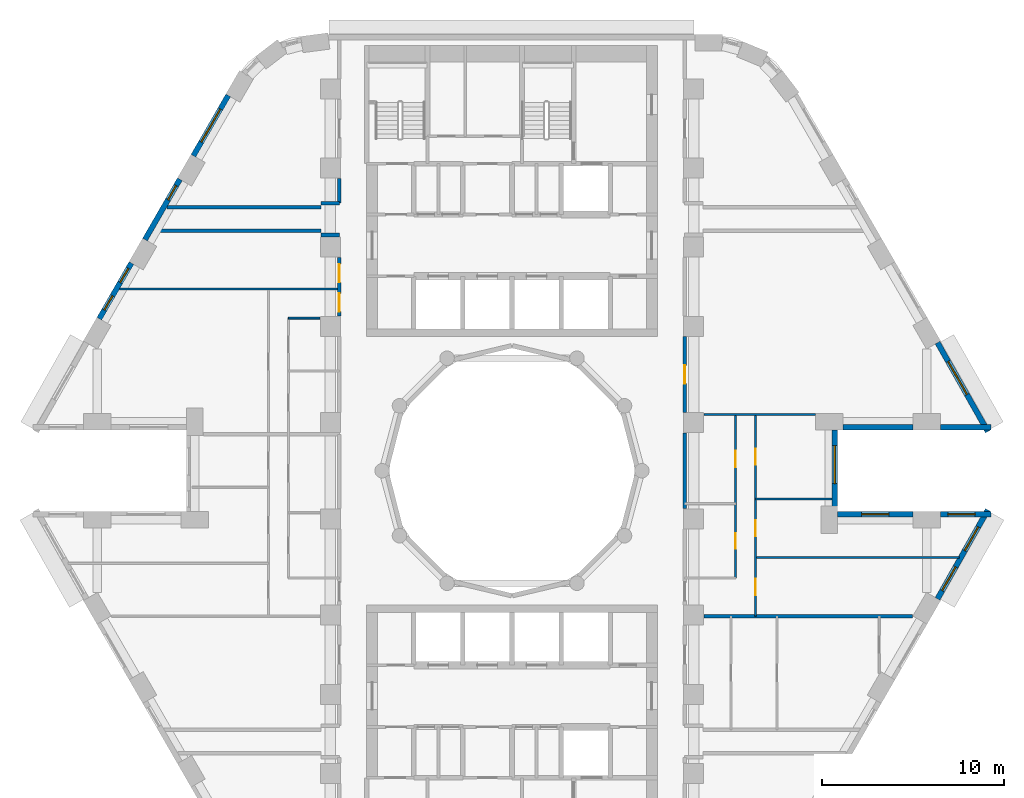
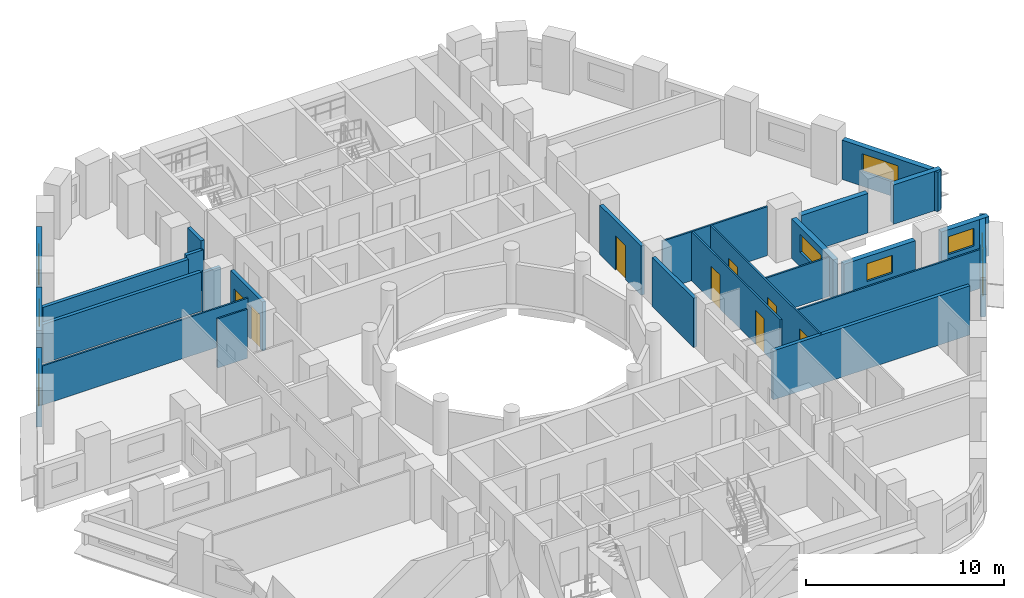
# One storey, part 6 of 12: 26 walls, 10 windows, 8 doors, 18 openings.
"""IFC4 building model written with IfcOpenShell, lengths in metres."""

from ifc_helpers import new_model, si_unit, direction, frame, frame_2d, origin, place, context, subcontext, project, spatial, rectangle, extrude, material, layer, layer_set, type_object, element, fill, save


model = new_model("IFC4")

# Units and contexts
model_context = context("Model", 3, precision=1e-05, world=origin(), true_north=direction((0.0, 1.0)))
body_context = subcontext(model_context, "Body", "Model", "MODEL_VIEW")
ifc_project = project(units=[si_unit("LENGTHUNIT", "METRE"), si_unit("AREAUNIT", "SQUARE_METRE"), si_unit("VOLUMEUNIT", "CUBIC_METRE"), si_unit("PLANEANGLEUNIT", "RADIAN"), si_unit("MASSUNIT", "GRAM", prefix="KILO")], contexts=[model_context])

# Site, building, storey
site_placement = place(None, origin())
site = spatial("IfcSite", under=ifc_project, at=site_placement, CompositionType="ELEMENT")
building_placement = place(site_placement, origin())
building = spatial("IfcBuilding", under=site, at=building_placement, Name="Nakaniwa Court", CompositionType="ELEMENT")
storey_placement = place(building_placement, frame((0.0, 0.0, 57.89990234375)))
storey = spatial("IfcBuildingStorey", under=building, at=storey_placement, Name="L15", CompositionType="ELEMENT", Elevation=57.89990234375)

# Wall
ifc_material_1 = material(Name="Acoustic double stud partition")
ifc_layer_1 = layer(ifc_material_1, 0.199951171875)
ifc_layer_set_1 = layer_set([ifc_layer_1], Name="Acoustic double stud partition")
wall_type_1 = type_object("IfcWallType", Name="Acoustic double stud partition 200", PredefinedType="PARTITIONING", material=ifc_layer_set_1)
wall_1_placement = place(storey_placement, frame((89.5, 77.9169921875, 0.0), z_axis=(0.0, 0.0, 1.0), x_axis=(0.0, 1.0, 0.0)))
element("IfcWall", 1, at=wall_1_placement, inside=storey, type_object=wall_type_1, Name="Partition PW-077", PredefinedType="PARTITIONING", context=body_context, shape_type="SweptSolid", body=[
    extrude(rectangle(XDim=4.166015625, YDim=0.199951171875, at=frame_2d((2.0830078125, 0.0))), origin(), (0.0, 0.0, 1.0), 3.025146484375),
])

# Wall, opening, door
wall_2_placement = place(storey_placement, frame((89.5, 87.383056640625, 0.0), z_axis=(0.0, 0.0, 1.0), x_axis=(0.0, -1.0, 0.0)))
wall_2 = element("IfcWall", 2, at=wall_2_placement, inside=storey, type_object=wall_type_1, Name="Partition PW-078", PredefinedType="PARTITIONING", context=body_context, shape_type="SweptSolid", body=[
    extrude(rectangle(XDim=4.166015625, YDim=0.199951171875, at=frame_2d((2.0830078125, 0.0))), origin(), (0.0, 0.0, 1.0), 3.025146484375),
])
opening_1_placement = place(wall_2_placement, frame((1.5830078125, 0.0, 0.0)))
opening_1 = element("IfcOpeningElement", 3, at=opening_1_placement, cuts=wall_2, Name="Opening D-02-01", PredefinedType="OPENING", context=body_context, shape_type="SweptSolid", body=[
    extrude(rectangle(XDim=1.0, YDim=2.10009765625, at=frame_2d((0.5, 1.050048828125))), frame((0.0, 0.10986328125, 0.0), z_axis=(0.0, -1.0, 0.0), x_axis=(1.0, 0.0, 0.0)), (0.0, 0.0, 1.0), 0.219970703125),
])
ifc_material_2 = material(Name="Solid core timber door set, black veneer", Category="wood")
door_type_1 = type_object("IfcDoorType", Name="Internal door 1000", OperationType="NOTDEFINED", PredefinedType="DOOR", material=ifc_material_2)
door_1_placement = place(opening_1_placement, origin())
door_1 = element("IfcDoor", 4, at=door_1_placement, inside=storey, type_object=door_type_1, Name="Door D-02-01 L15-039", OperationType="SINGLE_SWING_RIGHT", OverallHeight=2.10009765625, OverallWidth=1.0, PredefinedType="DOOR", context=body_context, shape_type="SweptSolid", body=[
    extrude(rectangle(XDim=1.0, YDim=2.10009765625, at=frame_2d((0.5, 1.050048828125))), frame((0.0, 0.02490234375, 0.0), z_axis=(0.0, -1.0, 0.0), x_axis=(1.0, 0.0, 0.0)), (0.0, 0.0, 1.0), 0.050048828125),
])
fill(opening_1, door_1)

# Walls
wall_3_placement = place(storey_placement, frame((60.254638671875, 93.199951171875, 0.0), z_axis=(0.0, 0.0, 1.0), x_axis=(1.0, 0.0, 0.0)))
element("IfcWall", 5, at=wall_3_placement, inside=storey, type_object=wall_type_1, Name="Partition PW-083", PredefinedType="PARTITIONING", context=body_context, shape_type="SweptSolid", body=[
    extrude(rectangle(XDim=9.245361328125, YDim=0.199951171875, at=frame_2d((4.62255859375, 0.0))), origin(), (0.0, 0.0, 1.0), 2.405029296875),
])
for number, where, z_axis, x_axis, name in (
    (6, (69.5, 92.97509765625, 0.0), (0.0, 0.0, 1.0), (1.0, 0.0, 0.0), "Partition PW-085"),
    (7, (69.5, 94.72509765625, 0.0), (0.0, 0.0, 1.0), (1.0, 0.0, 0.0), "Partition PW-087"),
):
    element("IfcWall", number, at=place(storey_placement, frame(where, z_axis=z_axis, x_axis=x_axis)), inside=storey, type_object=wall_type_1, Name=name, PredefinedType="PARTITIONING", context=body_context, shape_type="SweptSolid", body=[
        extrude(rectangle(XDim=1.0, YDim=0.199951171875, at=frame_2d((0.5, 0.0))), origin(), (0.0, 0.0, 1.0), 2.505126953125),
    ])
wall_4_placement = place(storey_placement, frame((61.005126953125, 94.5, 0.0), z_axis=(0.0, 0.0, 1.0), x_axis=(1.0, 0.0, 0.0)))
element("IfcWall", 8, at=wall_4_placement, inside=storey, type_object=wall_type_1, Name="Partition PW-089", PredefinedType="PARTITIONING", context=body_context, shape_type="SweptSolid", body=[
    extrude(rectangle(XDim=8.494873046875, YDim=0.199951171875, at=frame_2d((4.24755859375, 0.0))), origin(), (0.0, 0.0, 1.0), 2.405029296875),
])

# Wall, openings, doors
wall_5_placement = place(storey_placement, frame((70.5, 88.51708984375, 0.0), z_axis=(0.0, 0.0, 1.0), x_axis=(0.0, 1.0, 0.0)))
wall_5 = element("IfcWall", 9, at=wall_5_placement, inside=storey, type_object=wall_type_1, Name="Partition PW-107", PredefinedType="PARTITIONING", context=body_context, shape_type="SweptSolid", body=[
    extrude(rectangle(XDim=3.2158203125, YDim=0.199951171875, at=frame_2d((1.60791015625, 0.0))), origin(), (0.0, 0.0, 1.0), 3.025146484375),
])
opening_2_placement = place(wall_5_placement, frame((0.242919921875, 0.0, 0.0)))
opening_2 = element("IfcOpeningElement", 10, at=opening_2_placement, cuts=wall_5, Name="Opening D-01-04", PredefinedType="OPENING", context=body_context, shape_type="SweptSolid", body=[
    extrude(rectangle(XDim=1.0, YDim=2.10009765625, at=frame_2d((0.5, 1.050048828125))), frame((0.0, 0.10986328125, 0.0), z_axis=(0.0, -1.0, 0.0), x_axis=(1.0, 0.0, 0.0)), (0.0, 0.0, 1.0), 0.219970703125),
])
opening_3_placement = place(wall_5_placement, frame((1.847900390625, 0.0, 0.0)))
opening_3 = element("IfcOpeningElement", 11, at=opening_3_placement, cuts=wall_5, Name="Opening D-02-07", PredefinedType="OPENING", context=body_context, shape_type="SweptSolid", body=[
    extrude(rectangle(XDim=1.0, YDim=2.10009765625, at=frame_2d((0.5, 1.050048828125))), frame((0.0, 0.10986328125, 0.0), z_axis=(0.0, -1.0, 0.0), x_axis=(1.0, 0.0, 0.0)), (0.0, 0.0, 1.0), 0.219970703125),
])
door_type_2 = type_object("IfcDoorType", Name="Flat entrance door 1000", OperationType="NOTDEFINED", PredefinedType="DOOR", material=ifc_material_2)
door_2_placement = place(opening_2_placement, origin())
door_2 = element("IfcDoor", 12, at=door_2_placement, inside=storey, type_object=door_type_2, Name="Door D-01-04 L15-048", OperationType="SINGLE_SWING_LEFT", OverallHeight=2.10009765625, OverallWidth=1.0, PredefinedType="DOOR", context=body_context, shape_type="SweptSolid", body=[
    extrude(rectangle(XDim=1.0, YDim=2.10009765625, at=frame_2d((0.5, 1.050048828125))), frame((0.0, 0.02490234375, 0.0), z_axis=(0.0, -1.0, 0.0), x_axis=(1.0, 0.0, 0.0)), (0.0, 0.0, 1.0), 0.050048828125),
])
fill(opening_2, door_2)
door_3_placement = place(opening_3_placement, origin())
door_3 = element("IfcDoor", 13, at=door_3_placement, inside=storey, type_object=door_type_1, Name="Door D-02-07 L15-055", OperationType="SINGLE_SWING_RIGHT", OverallHeight=2.10009765625, OverallWidth=1.0, PredefinedType="DOOR", context=body_context, shape_type="SweptSolid", body=[
    extrude(rectangle(XDim=1.0, YDim=2.10009765625, at=frame_2d((0.5, 1.050048828125))), frame((0.0, 0.02490234375, 0.0), z_axis=(0.0, -1.0, 0.0), x_axis=(1.0, 0.0, 0.0)), (0.0, 0.0, 1.0), 0.050048828125),
])
fill(opening_3, door_3)

# Walls
wall_6_placement = place(storey_placement, frame((70.5, 94.721923828125, 0.0), z_axis=(0.0, 0.0, 1.0), x_axis=(0.0, 1.0, 0.0)))
element("IfcWall", 14, at=wall_6_placement, inside=storey, type_object=wall_type_1, Name="Partition PW-108", PredefinedType="PARTITIONING", context=body_context, shape_type="SweptSolid", body=[
    extrude(rectangle(XDim=1.361083984375, YDim=0.199951171875, at=frame_2d((0.6806640625, 0.0))), origin(), (0.0, 0.0, 1.0), 3.025146484375),
])
wall_7_placement = place(storey_placement, frame((90.570068359375, 72.0, 0.0), z_axis=(0.0, 0.0, 1.0), x_axis=(1.0, 0.0, 0.0)))
element("IfcWall", 15, at=wall_7_placement, inside=storey, type_object=wall_type_1, Name="Partition PW-112", PredefinedType="PARTITIONING", context=body_context, shape_type="SweptSolid", body=[
    extrude(rectangle(XDim=11.461669921875, YDim=0.199951171875, at=frame_2d((5.73095703125, 0.0))), origin(), (0.0, 0.0, 1.0), 3.025146484375),
])
ifc_material_3 = material(Name="Charcoal ceramic cladding")
ifc_layer_2 = layer(ifc_material_3, 0.02, Name="Ceramic cladding")
ifc_material_4 = material(Name="Ventilated air cavity")
ifc_layer_3 = layer(ifc_material_4, 0.04, ventilated=True, Name="Ventilated cavity")
ifc_material_5 = material(Name="Mineral wool insulation")
ifc_layer_4 = layer(ifc_material_5, 0.1, Name="Insulation")
ifc_material_6 = material(Name="Cement bonded sheathing board")
ifc_layer_5 = layer(ifc_material_6, 0.012, Name="Sheathing")
ifc_material_7 = material(Name="Cold-formed galvanised stud frame with mineral wool infill")
ifc_layer_6 = layer(ifc_material_7, 0.1, Name="Stud frame")
ifc_material_8 = material(Name="Fire-rated gypsum plasterboard lining")
ifc_layer_7 = layer(ifc_material_8, 0.028, Name="Lining")
ifc_layer_set_2 = layer_set([ifc_layer_2, ifc_layer_3, ifc_layer_4, ifc_layer_5, ifc_layer_6, ifc_layer_7], Name="Charcoal ceramic faced external wall system")
wall_type_2 = type_object("IfcWallType", Name="Black ceramic faced external wall 300", PredefinedType="SOLIDWALL", material=ifc_layer_set_2)
wall_8_placement = place(storey_placement, frame((98.204345703125, 82.39990234375, 0.0), z_axis=(0.0, 0.0, 1.0), x_axis=(1.0, 0.0, 0.0)))
element("IfcWall", 16, at=wall_8_placement, inside=storey, type_object=wall_type_2, Name="L15 external wall 00", PredefinedType="SOLIDWALL", context=body_context, shape_type="SweptSolid", body=[
    extrude(rectangle(XDim=3.87255859375, YDim=0.300048828125, at=frame_2d((1.936279296875, 0.0))), origin(), (0.0, 0.0, 1.0), 2.425048828125),
])
wall_9_placement = place(storey_placement, frame((103.56884765625, 82.39990234375, 0.0), z_axis=(0.0, 0.0, 1.0), x_axis=(1.0, 0.0, 0.0)))
element("IfcWall", 17, at=wall_9_placement, inside=storey, type_object=wall_type_2, Name="L15 external wall 01", PredefinedType="SOLIDWALL", context=body_context, shape_type="SweptSolid", body=[
    extrude(rectangle(XDim=2.787841796875, YDim=0.300048828125, at=frame_2d((1.39404296875, 0.0))), origin(), (0.0, 0.0, 1.0), 2.425048828125),
])

# Wall, opening, window
wall_10_placement = place(storey_placement, frame((106.18603515625, 82.1533203125, 0.0), z_axis=(0.0, 0.0, 1.0), x_axis=(-0.492363204642, 0.870389840655, 0.0)))
wall_10 = element("IfcWall", 18, at=wall_10_placement, inside=storey, type_object=wall_type_2, Name="L15 external wall 02", PredefinedType="SOLIDWALL", context=body_context, shape_type="SweptSolid", body=[
    extrude(rectangle(XDim=5.62646484375, YDim=0.300048828125, at=frame_2d((2.813232421875, 0.0))), origin(), (0.0, 0.0, 1.0), 2.425048828125),
])
opening_4_placement = place(wall_10_placement, frame((2.34228515625, 0.0, 0.89990234375)))
opening_4 = element("IfcOpeningElement", 19, at=opening_4_placement, cuts=wall_10, Name="Opening W7.01", PredefinedType="OPENING", context=body_context, shape_type="SweptSolid", body=[
    extrude(rectangle(XDim=2.10009765625, YDim=1.10009765625, at=frame_2d((1.050048828125, 0.550048828125))), frame((0.0, 0.159912109375, 0.0), z_axis=(0.0, -1.0, 0.0), x_axis=(1.0, 0.0, 0.0)), (0.0, 0.0, 1.0), 0.320068359375),
])
ifc_material_9 = material(Name="Black anodised aluminium frame with dark low-E laminated double glazing", Category="aluminium")
window_type_1 = type_object("IfcWindowType", Name="Dark glass window 2100x1100 sill 900", PartitioningType="SINGLE_PANEL", PredefinedType="WINDOW", material=ifc_material_9)
window_1_placement = place(opening_4_placement, origin())
window_1 = element("IfcWindow", 20, at=window_1_placement, inside=storey, type_object=window_type_1, Name="L15 habitable room window 02-0", OverallHeight=1.10009765625, OverallWidth=2.10009765625, PartitioningType="SINGLE_PANEL", PredefinedType="WINDOW", context=body_context, shape_type="SweptSolid", body=[
    extrude(rectangle(XDim=2.10009765625, YDim=1.10009765625, at=frame_2d((1.050048828125, 0.550048828125))), frame((0.0, 0.030029296875, 0.0), z_axis=(0.0, -1.0, 0.0), x_axis=(1.0, 0.0, 0.0)), (0.0, 0.0, 1.0), 0.06005859375),
])
fill(opening_4, window_1)

wall_11_placement = place(storey_placement, frame((64.384765625, 100.653564453125, 0.0), z_axis=(0.0, 0.0, 1.0), x_axis=(-0.499974163209, -0.866040320149, 0.0)))
wall_11 = element("IfcWall", 21, at=wall_11_placement, inside=storey, type_object=wall_type_2, Name="L15 external wall 11", PredefinedType="SOLIDWALL", context=body_context, shape_type="SweptSolid", body=[
    extrude(rectangle(XDim=3.834228515625, YDim=0.300048828125, at=frame_2d((1.9169921875, 0.0))), origin(), (0.0, 0.0, 1.0), 2.425048828125),
])
opening_5_placement = place(wall_11_placement, frame((0.8671875, 0.0, 0.89990234375)))
opening_5 = element("IfcOpeningElement", 22, at=opening_5_placement, cuts=wall_11, Name="Opening W7.09", PredefinedType="OPENING", context=body_context, shape_type="SweptSolid", body=[
    extrude(rectangle(XDim=2.10009765625, YDim=1.10009765625, at=frame_2d((1.050048828125, 0.550048828125))), frame((0.0, 0.159912109375, 0.0), z_axis=(0.0, -1.0, 0.0), x_axis=(1.0, 0.0, 0.0)), (0.0, 0.0, 1.0), 0.320068359375),
])
window_2_placement = place(opening_5_placement, origin())
window_2 = element("IfcWindow", 23, at=window_2_placement, inside=storey, type_object=window_type_1, Name="L15 habitable room window 11-0", OverallHeight=1.10009765625, OverallWidth=2.10009765625, PartitioningType="SINGLE_PANEL", PredefinedType="WINDOW", context=body_context, shape_type="SweptSolid", body=[
    extrude(rectangle(XDim=2.10009765625, YDim=1.10009765625, at=frame_2d((1.050048828125, 0.550048828125))), frame((0.0, 0.030029296875, 0.0), z_axis=(0.0, -1.0, 0.0), x_axis=(1.0, 0.0, 0.0)), (0.0, 0.0, 1.0), 0.06005859375),
])
fill(opening_5, window_2)

wall_12_placement = place(storey_placement, frame((61.7216796875, 96.041015625, 0.0), z_axis=(0.0, 0.0, 1.0), x_axis=(-0.500001735503, -0.866024401789, 0.0)))
wall_12 = element("IfcWall", 24, at=wall_12_placement, inside=storey, type_object=wall_type_2, Name="L15 external wall 12", PredefinedType="SOLIDWALL", context=body_context, shape_type="SweptSolid", body=[
    extrude(rectangle(XDim=3.833984375, YDim=0.300048828125, at=frame_2d((1.9169921875, 0.0))), origin(), (0.0, 0.0, 1.0), 2.425048828125),
])
opening_6_placement = place(wall_12_placement, frame((0.402587890625, 0.0, 0.89990234375)))
opening_6 = element("IfcOpeningElement", 25, at=opening_6_placement, cuts=wall_12, Name="Opening W9.10", PredefinedType="OPENING", context=body_context, shape_type="SweptSolid", body=[
    extrude(rectangle(XDim=0.89990234375, YDim=1.10009765625, at=frame_2d((0.449951171875, 0.550048828125))), frame((0.0, 0.159912109375, 0.0), z_axis=(0.0, -1.0, 0.0), x_axis=(1.0, 0.0, 0.0)), (0.0, 0.0, 1.0), 0.320068359375),
])
window_type_2 = type_object("IfcWindowType", Name="Dark glass window 900x1100 sill 900", PartitioningType="SINGLE_PANEL", PredefinedType="WINDOW", material=ifc_material_9)
window_3_placement = place(opening_6_placement, origin())
window_3 = element("IfcWindow", 26, at=window_3_placement, inside=storey, type_object=window_type_2, Name="L15 habitable room window 12-0", OverallHeight=1.10009765625, OverallWidth=0.89990234375, PartitioningType="SINGLE_PANEL", PredefinedType="WINDOW", context=body_context, shape_type="SweptSolid", body=[
    extrude(rectangle(XDim=0.89990234375, YDim=1.10009765625, at=frame_2d((0.449951171875, 0.550048828125))), frame((0.0, 0.030029296875, 0.0), z_axis=(0.0, -1.0, 0.0), x_axis=(1.0, 0.0, 0.0)), (0.0, 0.0, 1.0), 0.06005859375),
])
fill(opening_6, window_3)

# Wall, openings, windows
wall_13_placement = place(storey_placement, frame((59.05859375, 91.4287109375, 0.0), z_axis=(0.0, 0.0, 1.0), x_axis=(-0.499977402622, -0.866038449993, 0.0)))
wall_13 = element("IfcWall", 27, at=wall_13_placement, inside=storey, type_object=wall_type_2, Name="L15 external wall 13", PredefinedType="SOLIDWALL", context=body_context, shape_type="SweptSolid", body=[
    extrude(rectangle(XDim=3.536865234375, YDim=0.300048828125, at=frame_2d((1.7685546875, 0.0))), origin(), (0.0, 0.0, 1.0), 2.425048828125),
])
opening_7_placement = place(wall_13_placement, frame((0.337890625, 0.0, 0.89990234375)))
opening_7 = element("IfcOpeningElement", 28, at=opening_7_placement, cuts=wall_13, Name="Opening W9.11", PredefinedType="OPENING", context=body_context, shape_type="SweptSolid", body=[
    extrude(rectangle(XDim=0.89990234375, YDim=1.10009765625, at=frame_2d((0.449951171875, 0.550048828125))), frame((0.0, 0.159912109375, 0.0), z_axis=(0.0, -1.0, 0.0), x_axis=(1.0, 0.0, 0.0)), (0.0, 0.0, 1.0), 0.320068359375),
])
opening_8_placement = place(wall_13_placement, frame((2.082275390625, 0.0, 0.89990234375)))
opening_8 = element("IfcOpeningElement", 29, at=opening_8_placement, cuts=wall_13, Name="Opening W9.12", PredefinedType="OPENING", context=body_context, shape_type="SweptSolid", body=[
    extrude(rectangle(XDim=0.89990234375, YDim=1.10009765625, at=frame_2d((0.449951171875, 0.550048828125))), frame((0.0, 0.159912109375, 0.0), z_axis=(0.0, -1.0, 0.0), x_axis=(1.0, 0.0, 0.0)), (0.0, 0.0, 1.0), 0.320068359375),
])
window_4_placement = place(opening_7_placement, origin())
window_4 = element("IfcWindow", 30, at=window_4_placement, inside=storey, type_object=window_type_2, Name="L15 habitable room window 13-0", OverallHeight=1.10009765625, OverallWidth=0.89990234375, PartitioningType="SINGLE_PANEL", PredefinedType="WINDOW", context=body_context, shape_type="SweptSolid", body=[
    extrude(rectangle(XDim=0.89990234375, YDim=1.10009765625, at=frame_2d((0.449951171875, 0.550048828125))), frame((0.0, 0.030029296875, 0.0), z_axis=(0.0, -1.0, 0.0), x_axis=(1.0, 0.0, 0.0)), (0.0, 0.0, 1.0), 0.06005859375),
])
fill(opening_7, window_4)
window_5_placement = place(opening_8_placement, origin())
window_5 = element("IfcWindow", 31, at=window_5_placement, inside=storey, type_object=window_type_2, Name="L15 living window 13-1", OverallHeight=1.10009765625, OverallWidth=0.89990234375, PartitioningType="SINGLE_PANEL", PredefinedType="WINDOW", context=body_context, shape_type="SweptSolid", body=[
    extrude(rectangle(XDim=0.89990234375, YDim=1.10009765625, at=frame_2d((0.449951171875, 0.550048828125))), frame((0.0, 0.030029296875, 0.0), z_axis=(0.0, -1.0, 0.0), x_axis=(1.0, 0.0, 0.0)), (0.0, 0.0, 1.0), 0.06005859375),
])
fill(opening_8, window_5)

wall_14_placement = place(storey_placement, frame((103.415771484375, 72.949462890625, 0.0), z_axis=(0.0, 0.0, 1.0), x_axis=(0.492363204642, 0.870389840655, 0.0)))
wall_14 = element("IfcWall", 32, at=wall_14_placement, inside=storey, type_object=wall_type_2, Name="L15 external wall 32", PredefinedType="SOLIDWALL", context=body_context, shape_type="SweptSolid", body=[
    extrude(rectangle(XDim=5.62646484375, YDim=0.300048828125, at=frame_2d((2.813232421875, 0.0))), origin(), (0.0, 0.0, 1.0), 2.425048828125),
])
opening_9_placement = place(wall_14_placement, frame((0.5205078125, 0.0, 0.89990234375)))
opening_9 = element("IfcOpeningElement", 33, at=opening_9_placement, cuts=wall_14, Name="Opening W5.32", PredefinedType="OPENING", context=body_context, shape_type="SweptSolid", body=[
    extrude(rectangle(XDim=1.5, YDim=1.10009765625, at=frame_2d((0.75, 0.550048828125))), frame((0.0, 0.159912109375, 0.0), z_axis=(0.0, -1.0, 0.0), x_axis=(1.0, 0.0, 0.0)), (0.0, 0.0, 1.0), 0.320068359375),
])
opening_10_placement = place(wall_14_placement, frame((3.044921875, 0.0, 0.89990234375)))
opening_10 = element("IfcOpeningElement", 34, at=opening_10_placement, cuts=wall_14, Name="Opening W5.33", PredefinedType="OPENING", context=body_context, shape_type="SweptSolid", body=[
    extrude(rectangle(XDim=1.5, YDim=1.10009765625, at=frame_2d((0.75, 0.550048828125))), frame((0.0, 0.159912109375, 0.0), z_axis=(0.0, -1.0, 0.0), x_axis=(1.0, 0.0, 0.0)), (0.0, 0.0, 1.0), 0.320068359375),
])
window_type_3 = type_object("IfcWindowType", Name="Dark glass window 1500x1100 sill 900", PartitioningType="SINGLE_PANEL", PredefinedType="WINDOW", material=ifc_material_9)
window_6_placement = place(opening_9_placement, origin())
window_6 = element("IfcWindow", 35, at=window_6_placement, inside=storey, type_object=window_type_3, Name="L15 bedroom window 32-0", OverallHeight=1.10009765625, OverallWidth=1.5, PartitioningType="SINGLE_PANEL", PredefinedType="WINDOW", context=body_context, shape_type="SweptSolid", body=[
    extrude(rectangle(XDim=1.5, YDim=1.10009765625, at=frame_2d((0.75, 0.550048828125))), frame((0.0, 0.030029296875, 0.0), z_axis=(0.0, -1.0, 0.0), x_axis=(1.0, 0.0, 0.0)), (0.0, 0.0, 1.0), 0.06005859375),
])
fill(opening_9, window_6)
window_7_placement = place(opening_10_placement, origin())
window_7 = element("IfcWindow", 36, at=window_7_placement, inside=storey, type_object=window_type_3, Name="L15 bedroom window 32-1", OverallHeight=1.10009765625, OverallWidth=1.5, PartitioningType="SINGLE_PANEL", PredefinedType="WINDOW", context=body_context, shape_type="SweptSolid", body=[
    extrude(rectangle(XDim=1.5, YDim=1.10009765625, at=frame_2d((0.75, 0.550048828125))), frame((0.0, 0.030029296875, 0.0), z_axis=(0.0, -1.0, 0.0), x_axis=(1.0, 0.0, 0.0)), (0.0, 0.0, 1.0), 0.06005859375),
])
fill(opening_10, window_7)

# Wall, opening, window
wall_15_placement = place(storey_placement, frame((106.356689453125, 77.60009765625, 0.0), z_axis=(0.0, 0.0, 1.0), x_axis=(-1.0, 0.0, 0.0)))
wall_15 = element("IfcWall", 37, at=wall_15_placement, inside=storey, type_object=wall_type_2, Name="L15 external wall 33", PredefinedType="SOLIDWALL", context=body_context, shape_type="SweptSolid", body=[
    extrude(rectangle(XDim=2.787841796875, YDim=0.300048828125, at=frame_2d((1.39404296875, 0.0))), origin(), (0.0, 0.0, 1.0), 2.425048828125),
])
opening_11_placement = place(wall_15_placement, frame((0.868896484375, 0.0, 0.89990234375)))
opening_11 = element("IfcOpeningElement", 38, at=opening_11_placement, cuts=wall_15, Name="Opening W5.34", PredefinedType="OPENING", context=body_context, shape_type="SweptSolid", body=[
    extrude(rectangle(XDim=1.5, YDim=1.10009765625, at=frame_2d((0.75, 0.550048828125))), frame((0.0, 0.159912109375, 0.0), z_axis=(0.0, -1.0, 0.0), x_axis=(1.0, 0.0, 0.0)), (0.0, 0.0, 1.0), 0.320068359375),
])
window_8_placement = place(opening_11_placement, origin())
window_8 = element("IfcWindow", 39, at=window_8_placement, inside=storey, type_object=window_type_3, Name="L15 bedroom window 33-0", OverallHeight=1.10009765625, OverallWidth=1.5, PartitioningType="SINGLE_PANEL", PredefinedType="WINDOW", context=body_context, shape_type="SweptSolid", body=[
    extrude(rectangle(XDim=1.5, YDim=1.10009765625, at=frame_2d((0.75, 0.550048828125))), frame((0.0, 0.030029296875, 0.0), z_axis=(0.0, -1.0, 0.0), x_axis=(1.0, 0.0, 0.0)), (0.0, 0.0, 1.0), 0.06005859375),
])
fill(opening_11, window_8)

wall_16_placement = place(storey_placement, frame((102.076904296875, 77.60009765625, 0.0), z_axis=(0.0, 0.0, 1.0), x_axis=(-1.0, 0.0, 0.0)))
wall_16 = element("IfcWall", 40, at=wall_16_placement, inside=storey, type_object=wall_type_2, Name="L15 external wall 34", PredefinedType="SOLIDWALL", context=body_context, shape_type="SweptSolid", body=[
    extrude(rectangle(XDim=4.172607421875, YDim=0.300048828125, at=frame_2d((2.08642578125, 0.0))), origin(), (0.0, 0.0, 1.0), 2.425048828125),
])
opening_12_placement = place(wall_16_placement, frame((1.336181640625, 0.0, 0.89990234375)))
opening_12 = element("IfcOpeningElement", 41, at=opening_12_placement, cuts=wall_16, Name="Opening W5.35", PredefinedType="OPENING", context=body_context, shape_type="SweptSolid", body=[
    extrude(rectangle(XDim=1.5, YDim=1.10009765625, at=frame_2d((0.75, 0.550048828125))), frame((0.0, 0.159912109375, 0.0), z_axis=(0.0, -1.0, 0.0), x_axis=(1.0, 0.0, 0.0)), (0.0, 0.0, 1.0), 0.320068359375),
])
window_9_placement = place(opening_12_placement, origin())
window_9 = element("IfcWindow", 42, at=window_9_placement, inside=storey, type_object=window_type_3, Name="L15 bedroom window 34-0", OverallHeight=1.10009765625, OverallWidth=1.5, PartitioningType="SINGLE_PANEL", PredefinedType="WINDOW", context=body_context, shape_type="SweptSolid", body=[
    extrude(rectangle(XDim=1.5, YDim=1.10009765625, at=frame_2d((0.75, 0.550048828125))), frame((0.0, 0.030029296875, 0.0), z_axis=(0.0, -1.0, 0.0), x_axis=(1.0, 0.0, 0.0)), (0.0, 0.0, 1.0), 0.06005859375),
])
fill(opening_12, window_9)

wall_17_placement = place(storey_placement, frame((97.75830078125, 78.0458984375, 0.0), z_axis=(0.0, 0.0, 1.0), x_axis=(0.0, 1.0, 0.0)))
wall_17 = element("IfcWall", 43, at=wall_17_placement, inside=storey, type_object=wall_type_2, Name="L15 external wall 35", PredefinedType="SOLIDWALL", context=body_context, shape_type="SweptSolid", body=[
    extrude(rectangle(XDim=4.2080078125, YDim=0.300048828125, at=frame_2d((2.10400390625, 0.0))), origin(), (0.0, 0.0, 1.0), 2.425048828125),
])
opening_13_placement = place(wall_17_placement, frame((1.24169921875, 0.0, 0.89990234375)))
opening_13 = element("IfcOpeningElement", 44, at=opening_13_placement, cuts=wall_17, Name="Opening W7.36", PredefinedType="OPENING", context=body_context, shape_type="SweptSolid", body=[
    extrude(rectangle(XDim=2.10009765625, YDim=1.10009765625, at=frame_2d((1.050048828125, 0.550048828125))), frame((0.0, 0.159912109375, 0.0), z_axis=(0.0, -1.0, 0.0), x_axis=(1.0, 0.0, 0.0)), (0.0, 0.0, 1.0), 0.320068359375),
])
window_10_placement = place(opening_13_placement, origin())
window_10 = element("IfcWindow", 45, at=window_10_placement, inside=storey, type_object=window_type_1, Name="L15 living window 35-1", OverallHeight=1.10009765625, OverallWidth=2.10009765625, PartitioningType="SINGLE_PANEL", PredefinedType="WINDOW", context=body_context, shape_type="SweptSolid", body=[
    extrude(rectangle(XDim=2.10009765625, YDim=1.10009765625, at=frame_2d((1.050048828125, 0.550048828125))), frame((0.0, 0.030029296875, 0.0), z_axis=(0.0, -1.0, 0.0), x_axis=(1.0, 0.0, 0.0)), (0.0, 0.0, 1.0), 0.06005859375),
])
fill(opening_13, window_10)

# Wall, openings, doors
ifc_material_10 = material(Name="Single stud plasterboard partition")
ifc_layer_8 = layer(ifc_material_10, 0.10009765625)
ifc_layer_set_3 = layer_set([ifc_layer_8], Name="Single stud plasterboard partition")
wall_type_3 = type_object("IfcWallType", Name="Single stud plasterboard partition 100", PredefinedType="PARTITIONING", material=ifc_layer_set_3)
wall_18_placement = place(storey_placement, frame((92.300048828125, 74.10009765625, 0.0), z_axis=(0.0, 0.0, 1.0), x_axis=(0.0, 1.0, 0.0)))
wall_18 = element("IfcWall", 46, at=wall_18_placement, inside=storey, type_object=wall_type_3, Name="Partition PW-118", PredefinedType="PARTITIONING", context=body_context, shape_type="SweptSolid", body=[
    extrude(rectangle(XDim=9.0, YDim=0.10009765625, at=frame_2d((4.5, 0.0))), origin(), (0.0, 0.0, 1.0), 3.025146484375),
])
opening_14_placement = place(wall_18_placement, frame((1.6201171875, 0.0, 0.0)))
opening_14 = element("IfcOpeningElement", 47, at=opening_14_placement, cuts=wall_18, Name="Opening D-03-02", PredefinedType="OPENING", context=body_context, shape_type="SweptSolid", body=[
    extrude(rectangle(XDim=0.85009765625, YDim=2.10009765625, at=frame_2d((0.425048828125, 1.050048828125))), frame((0.0, 0.06005859375, 0.0), z_axis=(0.0, -1.0, 0.0), x_axis=(1.0, 0.0, 0.0)), (0.0, 0.0, 1.0), 0.1201171875),
])
opening_15_placement = place(wall_18_placement, frame((6.094970703125, 0.0, 0.0)))
opening_15 = element("IfcOpeningElement", 48, at=opening_15_placement, cuts=wall_18, Name="Opening D-33-03", PredefinedType="OPENING", context=body_context, shape_type="SweptSolid", body=[
    extrude(rectangle(XDim=0.89990234375, YDim=2.10009765625, at=frame_2d((0.449951171875, 1.050048828125))), frame((0.0, 0.06005859375, 0.0), z_axis=(0.0, -1.0, 0.0), x_axis=(1.0, 0.0, 0.0)), (0.0, 0.0, 1.0), 0.1201171875),
])
ifc_material_11 = material(Name="Moisture sealed timber door set", Category="wood")
door_type_3 = type_object("IfcDoorType", Name="Bathroom door 850", OperationType="NOTDEFINED", PredefinedType="DOOR", material=ifc_material_11)
door_4_placement = place(opening_14_placement, origin())
door_4 = element("IfcDoor", 49, at=door_4_placement, inside=storey, type_object=door_type_3, Name="Door D-03-02 L15-034", OperationType="SINGLE_SWING_LEFT", OverallHeight=2.10009765625, OverallWidth=0.85009765625, PredefinedType="DOOR", context=body_context, shape_type="SweptSolid", body=[
    extrude(rectangle(XDim=0.85009765625, YDim=2.10009765625, at=frame_2d((0.425048828125, 1.050048828125))), frame((0.0, 0.02490234375, 0.0), z_axis=(0.0, -1.0, 0.0), x_axis=(1.0, 0.0, 0.0)), (0.0, 0.0, 1.0), 0.050048828125),
])
fill(opening_14, door_4)
door_type_4 = type_object("IfcDoorType", Name="Internal door 900", OperationType="NOTDEFINED", PredefinedType="DOOR", material=ifc_material_2)
door_5_placement = place(opening_15_placement, origin())
door_5 = element("IfcDoor", 50, at=door_5_placement, inside=storey, type_object=door_type_4, Name="Door D-33-03 L15-035", OperationType="SINGLE_SWING_RIGHT", OverallHeight=2.10009765625, OverallWidth=0.89990234375, PredefinedType="DOOR", context=body_context, shape_type="SweptSolid", body=[
    extrude(rectangle(XDim=0.89990234375, YDim=2.10009765625, at=frame_2d((0.449951171875, 1.050048828125))), frame((0.0, 0.02490234375, 0.0), z_axis=(0.0, -1.0, 0.0), x_axis=(1.0, 0.0, 0.0)), (0.0, 0.0, 1.0), 0.050048828125),
])
fill(opening_15, door_5)

# Wall
wall_19_placement = place(storey_placement, frame((90.570068359375, 83.10009765625, 0.0), z_axis=(0.0, 0.0, 1.0), x_axis=(1.0, 0.0, 0.0)))
element("IfcWall", 51, at=wall_19_placement, inside=storey, type_object=wall_type_3, Name="Partition PW-119", PredefinedType="PARTITIONING", context=body_context, shape_type="SweptSolid", body=[
    extrude(rectangle(XDim=6.118408203125, YDim=0.10009765625, at=frame_2d((3.05908203125, 0.0))), origin(), (0.0, 0.0, 1.0), 3.025146484375),
])

# Wall, openings, doors
wall_20_placement = place(storey_placement, frame((93.39990234375, 83.10009765625, 0.0), z_axis=(0.0, 0.0, 1.0), x_axis=(0.0, -1.0, 0.0)))
wall_20 = element("IfcWall", 52, at=wall_20_placement, inside=storey, type_object=wall_type_3, Name="Partition PW-120", PredefinedType="PARTITIONING", context=body_context, shape_type="SweptSolid", body=[
    extrude(rectangle(XDim=11.10009765625, YDim=0.10009765625, at=frame_2d((5.550048828125, 0.0))), origin(), (0.0, 0.0, 1.0), 3.025146484375),
])
opening_16_placement = place(wall_20_placement, frame((9.0390625, 0.0, 0.0)))
opening_16 = element("IfcOpeningElement", 53, at=opening_16_placement, cuts=wall_20, Name="Opening D-33-04", PredefinedType="OPENING", context=body_context, shape_type="SweptSolid", body=[
    extrude(rectangle(XDim=0.89990234375, YDim=2.10009765625, at=frame_2d((0.449951171875, 1.050048828125))), frame((0.0, 0.06005859375, 0.0), z_axis=(0.0, -1.0, 0.0), x_axis=(1.0, 0.0, 0.0)), (0.0, 0.0, 1.0), 0.1201171875),
])
opening_17_placement = place(wall_20_placement, frame((5.81591796875, 0.0, 0.0)))
opening_17 = element("IfcOpeningElement", 54, at=opening_17_placement, cuts=wall_20, Name="Opening D-33-05", PredefinedType="OPENING", context=body_context, shape_type="SweptSolid", body=[
    extrude(rectangle(XDim=0.89990234375, YDim=2.10009765625, at=frame_2d((0.449951171875, 1.050048828125))), frame((0.0, 0.06005859375, 0.0), z_axis=(0.0, -1.0, 0.0), x_axis=(1.0, 0.0, 0.0)), (0.0, 0.0, 1.0), 0.1201171875),
])
opening_18_placement = place(wall_20_placement, frame((1.876953125, 0.0, 0.0)))
opening_18 = element("IfcOpeningElement", 55, at=opening_18_placement, cuts=wall_20, Name="Opening D-33-06", PredefinedType="OPENING", context=body_context, shape_type="SweptSolid", body=[
    extrude(rectangle(XDim=0.89990234375, YDim=2.10009765625, at=frame_2d((0.449951171875, 1.050048828125))), frame((0.0, 0.06005859375, 0.0), z_axis=(0.0, -1.0, 0.0), x_axis=(1.0, 0.0, 0.0)), (0.0, 0.0, 1.0), 0.1201171875),
])
door_6_placement = place(opening_16_placement, origin())
door_6 = element("IfcDoor", 56, at=door_6_placement, inside=storey, type_object=door_type_4, Name="Door D-33-04 L15-036", OperationType="SINGLE_SWING_LEFT", OverallHeight=2.10009765625, OverallWidth=0.89990234375, PredefinedType="DOOR", context=body_context, shape_type="SweptSolid", body=[
    extrude(rectangle(XDim=0.89990234375, YDim=2.10009765625, at=frame_2d((0.449951171875, 1.050048828125))), frame((0.0, 0.02490234375, 0.0), z_axis=(0.0, -1.0, 0.0), x_axis=(1.0, 0.0, 0.0)), (0.0, 0.0, 1.0), 0.050048828125),
])
fill(opening_16, door_6)
door_7_placement = place(opening_17_placement, origin())
door_7 = element("IfcDoor", 57, at=door_7_placement, inside=storey, type_object=door_type_4, Name="Door D-33-05 L15-037", OperationType="SINGLE_SWING_RIGHT", OverallHeight=2.10009765625, OverallWidth=0.89990234375, PredefinedType="DOOR", context=body_context, shape_type="SweptSolid", body=[
    extrude(rectangle(XDim=0.89990234375, YDim=2.10009765625, at=frame_2d((0.449951171875, 1.050048828125))), frame((0.0, 0.02490234375, 0.0), z_axis=(0.0, -1.0, 0.0), x_axis=(1.0, 0.0, 0.0)), (0.0, 0.0, 1.0), 0.050048828125),
])
fill(opening_17, door_7)
door_8_placement = place(opening_18_placement, origin())
door_8 = element("IfcDoor", 58, at=door_8_placement, inside=storey, type_object=door_type_4, Name="Door D-33-06 L15-038", OperationType="SINGLE_SWING_LEFT", OverallHeight=2.10009765625, OverallWidth=0.89990234375, PredefinedType="DOOR", context=body_context, shape_type="SweptSolid", body=[
    extrude(rectangle(XDim=0.89990234375, YDim=2.10009765625, at=frame_2d((0.449951171875, 1.050048828125))), frame((0.0, 0.02490234375, 0.0), z_axis=(0.0, -1.0, 0.0), x_axis=(1.0, 0.0, 0.0)), (0.0, 0.0, 1.0), 0.050048828125),
])
fill(opening_18, door_8)

# Walls
wall_21_placement = place(storey_placement, frame((93.39990234375, 75.222900390625, 0.0), z_axis=(0.0, 0.0, 1.0), x_axis=(1.0, 0.0, 0.0)))
element("IfcWall", 59, at=wall_21_placement, inside=storey, type_object=wall_type_3, Name="Partition PW-121", PredefinedType="PARTITIONING", context=body_context, shape_type="SweptSolid", body=[
    extrude(rectangle(XDim=11.208251953125, YDim=0.10009765625, at=frame_2d((5.60400390625, 0.0))), origin(), (0.0, 0.0, 1.0), 2.405029296875),
])
wall_22_placement = place(storey_placement, frame((93.39990234375, 78.445068359375, 0.0), z_axis=(0.0, 0.0, 1.0), x_axis=(1.0, 0.0, 0.0)))
element("IfcWall", 60, at=wall_22_placement, inside=storey, type_object=wall_type_3, Name="Partition PW-122", PredefinedType="PARTITIONING", context=body_context, shape_type="SweptSolid", body=[
    extrude(rectangle(XDim=4.20849609375, YDim=0.10009765625, at=frame_2d((2.104248046875, 0.0))), origin(), (0.0, 0.0, 1.0), 2.405029296875),
])
wall_23_placement = place(storey_placement, frame((67.699951171875, 88.39990234375, 0.0), z_axis=(0.0, 0.0, 1.0), x_axis=(1.0, 0.0, 0.0)))
element("IfcWall", 61, at=wall_23_placement, inside=storey, type_object=wall_type_3, Name="Partition PW-131", PredefinedType="PARTITIONING", context=body_context, shape_type="SweptSolid", body=[
    extrude(rectangle(XDim=1.72998046875, YDim=0.10009765625, at=frame_2d((0.864990234375, 0.0))), origin(), (0.0, 0.0, 1.0), 3.025146484375),
])
wall_24_placement = place(storey_placement, frame((58.406982421875, 90.0, 0.0), z_axis=(0.0, 0.0, 1.0), x_axis=(1.0, 0.0, 0.0)))
element("IfcWall", 62, at=wall_24_placement, inside=storey, type_object=wall_type_3, Name="Partition PW-132", PredefinedType="PARTITIONING", context=body_context, shape_type="SweptSolid", body=[
    extrude(rectangle(XDim=12.093017578125, YDim=0.10009765625, at=frame_2d((6.04638671875, 0.0))), origin(), (0.0, 0.0, 1.0), 2.405029296875),
])

save(model, "model.ifc")
